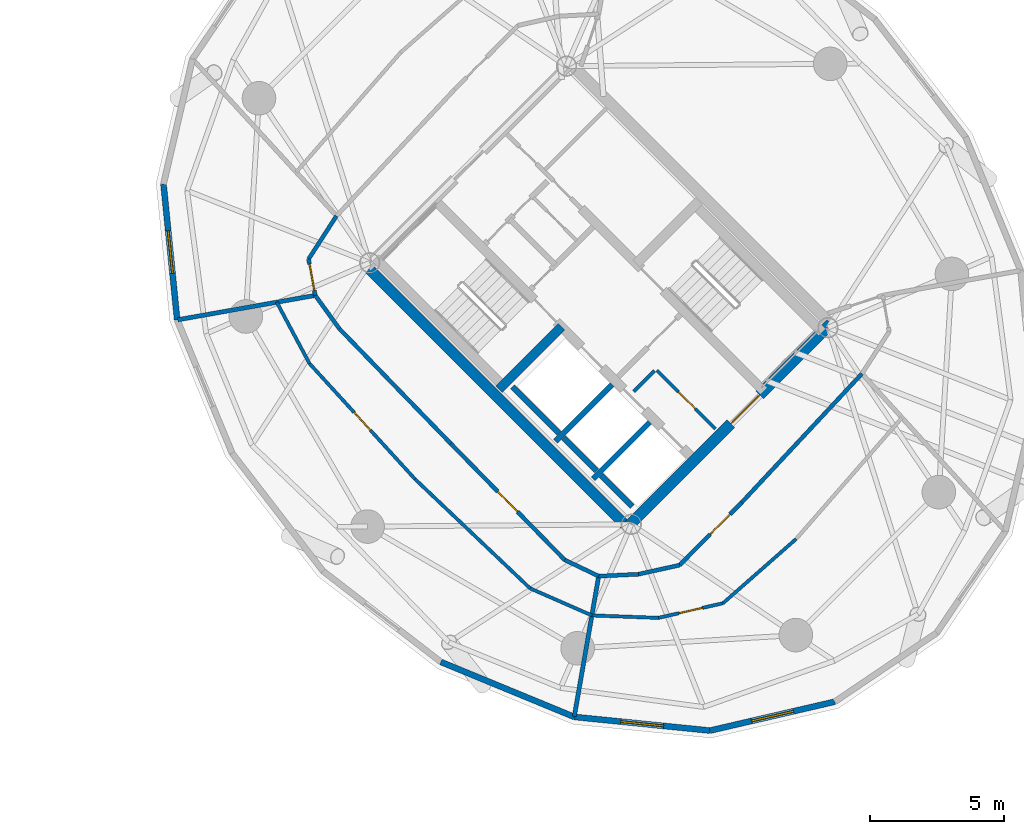
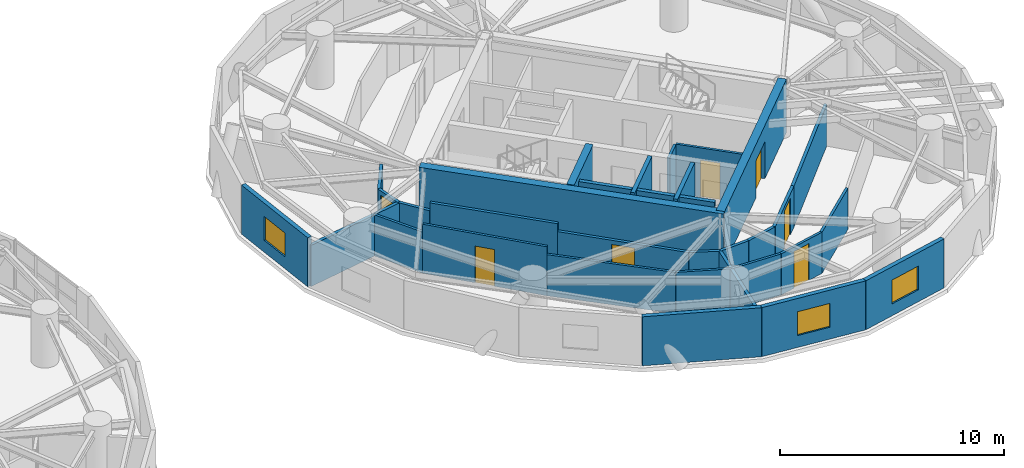
# One storey, part 12 of 17: 33 walls, 7 doors, 3 windows, 10 openings.
"""IFC4 building model written with IfcOpenShell, lengths in metres."""

from ifc_helpers import new_model, si_unit, direction, frame, frame_2d, origin, place, context, subcontext, project, spatial, rectangle, extrude, source, transform, mapped, material, layer, layer_set, type_object, element, fill, save


model = new_model("IFC4")

# Units and contexts
model_context = context("Model", 3, precision=1e-05, world=origin(), true_north=direction((0.0, 1.0)))
body_context = subcontext(model_context, "Body", "Model", "MODEL_VIEW")
ifc_project = project(units=[si_unit("LENGTHUNIT", "METRE"), si_unit("AREAUNIT", "SQUARE_METRE"), si_unit("VOLUMEUNIT", "CUBIC_METRE"), si_unit("PLANEANGLEUNIT", "RADIAN"), si_unit("MASSUNIT", "GRAM", prefix="KILO")], contexts=[model_context])

# Site, building, storey
site_placement = place(None, origin())
site = spatial("IfcSite", under=ifc_project, at=site_placement, CompositionType="ELEMENT")
building_placement = place(site_placement, origin())
building = spatial("IfcBuilding", under=site, at=building_placement, Name="Cununo Teusaquillo Station Towers", CompositionType="ELEMENT")
storey_placement = place(building_placement, frame((0.0, 0.0, 166.14990234375)))
storey = spatial("IfcBuildingStorey", under=building, at=storey_placement, Name="L52", CompositionType="ELEMENT", Elevation=166.14990234375)

# Walls
ifc_material_1 = material(Name="Concrete C50/60", Category="concrete")
ifc_layer_1 = layer(ifc_material_1, 0.199951171875)
ifc_layer_set_1 = layer_set([ifc_layer_1], Name="Concrete C50/60")
wall_type_1 = type_object("IfcWallType", Name="WL-CORE-200", PredefinedType="SHEAR", material=ifc_layer_set_1)
wall_1_placement = place(storey_placement, frame((55.8876953125, 19.0693359375, 0.0), z_axis=(0.0, 0.0, 1.0), x_axis=(0.707106781187, 0.707106781187, 0.0)))
element("IfcWall", 1, at=wall_1_placement, inside=storey, type_object=wall_type_1, Name="L52 Tower B Firefighting Lift Shaft South Shear Wall", PredefinedType="SHEAR", context=body_context, shape_type="SweptSolid", body=[
    extrude(rectangle(XDim=2.969970703125, YDim=0.199951171875, at=frame_2d((1.48486328125, 0.0))), origin(), (0.0, 0.0, 1.0), 2.91015625),
])
wall_2_placement = place(storey_placement, frame((56.01513671875, 19.366455078125, 0.0), z_axis=(0.0, 0.0, 1.0), x_axis=(-0.707106781187, 0.707106781187, 0.0)))
element("IfcWall", 2, at=wall_2_placement, inside=storey, type_object=wall_type_1, Name="L52 Tower B Firefighting Lift Shaft Rear Shear Wall", PredefinedType="SHEAR", context=body_context, shape_type="SweptSolid", body=[
    extrude(rectangle(XDim=2.43994140625, YDim=0.199951171875, at=frame_2d((1.219970703125, 0.0))), origin(), (0.0, 0.0, 1.0), 2.91015625),
])
wall_3_placement = place(storey_placement, frame((57.2841796875, 17.6728515625, 0.0), z_axis=(0.0, 0.0, 1.0), x_axis=(0.707147878904, 0.70706568108, 0.0)))
element("IfcWall", 3, at=wall_3_placement, inside=storey, type_object=wall_type_1, Name="L52 Tower B High-Rise Lift Hoistway Divider Shear Wall", PredefinedType="SHEAR", context=body_context, shape_type="SweptSolid", body=[
    extrude(rectangle(XDim=2.97021484375, YDim=0.199951171875, at=frame_2d((1.485107421875, 0.0))), origin(), (0.0, 0.0, 1.0), 2.91015625),
])
wall_4_placement = place(storey_placement, frame((57.41162109375, 17.969970703125, 0.0), z_axis=(0.0, 0.0, 1.0), x_axis=(-0.707106781187, 0.707106781187, 0.0)))
element("IfcWall", 4, at=wall_4_placement, inside=storey, type_object=wall_type_1, Name="L52 Tower B High-Rise Lift 2 Shaft Rear Shear Wall", PredefinedType="SHEAR", context=body_context, shape_type="SweptSolid", body=[
    extrude(rectangle(XDim=1.73486328125, YDim=0.199951171875, at=frame_2d((0.867431640625, 0.0))), origin(), (0.0, 0.0, 1.0), 2.91015625),
])
wall_5_placement = place(storey_placement, frame((58.7373046875, 16.64404296875, 0.0), z_axis=(0.0, 0.0, 1.0), x_axis=(-0.707032117043, 0.707181437447, 0.0)))
element("IfcWall", 5, at=wall_5_placement, inside=storey, type_object=wall_type_1, Name="L52 Tower B High-Rise Lift 1 Shaft Rear Shear Wall", PredefinedType="SHEAR", context=body_context, shape_type="SweptSolid", body=[
    extrude(rectangle(XDim=1.635009765625, YDim=0.199951171875, at=frame_2d((0.8173828125, 0.0))), origin(), (0.0, 0.0, 1.0), 2.91015625),
])
ifc_material_2 = material(Name="Concrete C50/60", Category="concrete")
ifc_layer_2 = layer(ifc_material_2, 0.35009765625)
ifc_layer_set_2 = layer_set([ifc_layer_2], Name="Concrete C50/60")
wall_type_2 = type_object("IfcWallType", Name="WL-CORE-350", PredefinedType="SHEAR", material=ifc_layer_set_2)
wall_6_placement = place(storey_placement, frame((53.7841796875, 21.00341796875, 0.0), z_axis=(0.0, 0.0, 1.0), x_axis=(0.707106781187, 0.707106781187, 0.0)))
element("IfcWall", 6, at=wall_6_placement, inside=storey, type_object=wall_type_2, Name="L52 Tower B Core Shear Wall ST1S", PredefinedType="SHEAR", context=body_context, shape_type="SweptSolid", body=[
    extrude(rectangle(XDim=3.284912109375, YDim=0.35009765625, at=frame_2d((1.642578125, 0.0))), origin(), (0.0, 0.0, 1.0), 2.91015625),
])
ifc_material_3 = material(Name="Concrete C50/60", Category="concrete")
ifc_layer_3 = layer(ifc_material_3, 0.39990234375)
ifc_layer_set_3 = layer_set([ifc_layer_3], Name="Concrete C50/60")
wall_type_3 = type_object("IfcWallType", Name="WL-CORE-400", PredefinedType="SHEAR", material=ifc_layer_set_3)
wall_7_placement = place(storey_placement, frame((58.7021484375, 15.73193359375, 0.0), z_axis=(0.0, 0.0, 1.0), x_axis=(-0.707106781187, 0.707106781187, 0.0)))
element("IfcWall", 7, at=wall_7_placement, inside=storey, type_object=wall_type_3, Name="L52 Tower B Core Shear Wall W", PredefinedType="SHEAR", context=body_context, shape_type="SweptSolid", body=[
    extrude(rectangle(XDim=14.10009765625, YDim=0.39990234375, at=frame_2d((7.050048828125, 0.0))), origin(), (0.0, 0.0, 1.0), 2.91015625),
])

# Wall, opening, door
wall_8_placement = place(storey_placement, frame((58.560791015625, 15.873291015625, 0.0), z_axis=(0.0, 0.0, 1.0), x_axis=(0.707106781187, 0.707106781187, 0.0)))
wall_8 = element("IfcWall", 8, at=wall_8_placement, inside=storey, type_object=wall_type_3, Name="L52 Tower B Core Shear Wall S", PredefinedType="SHEAR", context=body_context, shape_type="SweptSolid", body=[
    extrude(rectangle(XDim=10.69970703125, YDim=0.39990234375, at=frame_2d((5.349853515625, 0.0))), origin(), (0.0, 0.0, 1.0), 2.91015625),
])
shared_shape_1 = source(origin(), body_context, "Body", "SweptSolid", [
    extrude(rectangle(XDim=1.5, YDim=2.02001953125, at=frame_2d((0.75, 1.010009765625))), frame((0.0, 0.2099609375, 0.0), z_axis=(0.0, -1.0, 0.0), x_axis=(1.0, 0.0, 0.0)), (0.0, 0.0, 1.0), 0.419921875),
])
opening_1_placement = place(wall_8_placement, frame((5.449951171875, 0.0, 0.0)))
opening_1 = element("IfcOpeningElement", 9, at=opening_1_placement, cuts=wall_8, Name="Opening D-LB1", PredefinedType="OPENING", context=body_context, shape_type="MappedRepresentation", body=[
    mapped(shared_shape_1, transform((0.0, 0.0, 0.0), x_axis=(1.0, 0.0, 0.0), y_axis=(0.0, 1.0, 0.0), z_axis=(0.0, 0.0, 1.0), scale=1.0)),
])
ifc_material_4 = material(Name="Galvanised fire-rated hollow steel door assembly", Category="steel")
door_type_1 = type_object("IfcDoorType", Name="DR-LOBBY-1500", OperationType="DOUBLE_DOOR_SINGLE_SWING", PredefinedType="DOOR", material=ifc_material_4)
shared_shape_2 = source(origin(), body_context, "Body", "SweptSolid", [
    extrude(rectangle(XDim=1.5, YDim=2.02001953125, at=frame_2d((0.75, 1.010009765625))), frame((0.0, 0.02490234375, 0.0), z_axis=(0.0, -1.0, 0.0), x_axis=(1.0, 0.0, 0.0)), (0.0, 0.0, 1.0), 0.050048828125),
])
door_1_placement = place(opening_1_placement, origin())
door_1 = element("IfcDoor", 10, at=door_1_placement, inside=storey, type_object=door_type_1, Name="L52 Tower B South Core Lift Lobby Door", OperationType="DOUBLE_DOOR_SINGLE_SWING", OverallHeight=2.02001953125, OverallWidth=1.5, PredefinedType="DOOR", context=body_context, shape_type="MappedRepresentation", body=[
    mapped(shared_shape_2, transform((0.0, 0.0, 0.0), x_axis=(1.0, 0.0, 0.0), y_axis=(0.0, 1.0, 0.0), z_axis=(0.0, 0.0, 1.0), scale=1.0)),
])
fill(opening_1, door_1)

# Wall, opening, window
ifc_material_5 = material(Name="Precast concrete C40/50", Category="concrete")
ifc_layer_4 = layer(ifc_material_5, 0.219970703125)
ifc_layer_set_4 = layer_set([ifc_layer_4], Name="Precast concrete C40/50")
wall_type_4 = type_object("IfcWallType", Name="WL-EXT-220", PredefinedType="SOLIDWALL", material=ifc_layer_set_4)
wall_9_placement = place(storey_placement, frame((41.810791015625, 23.582275390625, 0.0), z_axis=(0.0, 0.0, 1.0), x_axis=(-0.100279889424, 0.994959267396, 0.0)))
wall_9 = element("IfcWall", 11, at=wall_9_placement, inside=storey, type_object=wall_type_4, Name="L52 Tower B Exterior Facade Wall C07", PredefinedType="SOLIDWALL", context=body_context, shape_type="SweptSolid", body=[
    extrude(rectangle(XDim=5.076171875, YDim=0.219970703125, at=frame_2d((2.5380859375, 0.0))), origin(), (0.0, 0.0, 1.0), 2.675048828125),
])
shared_shape_3 = source(origin(), body_context, "Body", "SweptSolid", [
    extrude(rectangle(XDim=1.60009765625, YDim=1.300048828125, at=frame_2d((0.800048828125, 0.64990234375))), frame((0.0, 0.119873046875, 0.0), z_axis=(0.0, -1.0, 0.0), x_axis=(1.0, 0.0, 0.0)), (0.0, 0.0, 1.0), 0.239990234375),
])
opening_2_placement = place(wall_9_placement, frame((1.738037109375, 0.0, 0.64990234375)))
opening_2 = element("IfcOpeningElement", 12, at=opening_2_placement, cuts=wall_9, Name="Opening WN-03", PredefinedType="OPENING", context=body_context, shape_type="MappedRepresentation", body=[
    mapped(shared_shape_3, transform((0.0, 0.0, 0.0), x_axis=(1.0, 0.0, 0.0), y_axis=(0.0, 1.0, 0.0), z_axis=(0.0, 0.0, 1.0), scale=1.0)),
])
ifc_material_6 = material(Name="Ceramic-fritted dark low-E double glazing", Category="glass")
window_type = type_object("IfcWindowType", Name="WIN-CORN-1600", PartitioningType="SINGLE_PANEL", PredefinedType="WINDOW", material=ifc_material_6)
shared_shape_4 = source(origin(), body_context, "Body", "SweptSolid", [
    extrude(rectangle(XDim=1.60009765625, YDim=1.300048828125, at=frame_2d((0.800048828125, 0.64990234375))), frame((0.0, 0.030029296875, 0.0), z_axis=(0.0, -1.0, 0.0), x_axis=(1.0, 0.0, 0.0)), (0.0, 0.0, 1.0), 0.06005859375),
])
window_1_placement = place(opening_2_placement, origin())
window_1 = element("IfcWindow", 13, at=window_1_placement, inside=storey, type_object=window_type, Name="L52 Tower B Facade Window C07", OverallHeight=1.300048828125, OverallWidth=1.60009765625, PartitioningType="SINGLE_PANEL", PredefinedType="WINDOW", context=body_context, shape_type="MappedRepresentation", body=[
    mapped(shared_shape_4, transform((0.0, 0.0, 0.0), x_axis=(1.0, 0.0, 0.0), y_axis=(0.0, 1.0, 0.0), z_axis=(0.0, 0.0, 1.0), scale=1.0)),
])
fill(opening_2, window_1)

# Wall
wall_10_placement = place(storey_placement, frame((56.582275390625, 8.810791015625, 0.0), z_axis=(0.0, 0.0, 1.0), x_axis=(-0.924528197738, 0.38111364655, 0.0)))
element("IfcWall", 14, at=wall_10_placement, inside=storey, type_object=wall_type_4, Name="L52 Tower B Exterior Facade Wall C11", PredefinedType="SOLIDWALL", context=body_context, shape_type="SweptSolid", body=[
    extrude(rectangle(XDim=5.36572265625, YDim=0.219970703125, at=frame_2d((2.682861328125, 0.0))), origin(), (0.0, 0.0, 1.0), 2.675048828125),
])

# Wall, opening, window
wall_11_placement = place(storey_placement, frame((61.6328125, 8.3017578125, 0.0), z_axis=(0.0, 0.0, 1.0), x_axis=(-0.994959267396, 0.100279889424, 0.0)))
wall_11 = element("IfcWall", 15, at=wall_11_placement, inside=storey, type_object=wall_type_4, Name="L52 Tower B Exterior Facade Wall C12", PredefinedType="SOLIDWALL", context=body_context, shape_type="SweptSolid", body=[
    extrude(rectangle(XDim=5.076171875, YDim=0.219970703125, at=frame_2d((2.5380859375, 0.0))), origin(), (0.0, 0.0, 1.0), 2.675048828125),
])
opening_3_placement = place(wall_11_placement, frame((1.738037109375, 0.0, 0.64990234375)))
opening_3 = element("IfcOpeningElement", 16, at=opening_3_placement, cuts=wall_11, Name="Opening WN-03", PredefinedType="OPENING", context=body_context, shape_type="MappedRepresentation", body=[
    mapped(shared_shape_3, transform((0.0, 0.0, 0.0), x_axis=(1.0, 0.0, 0.0), y_axis=(0.0, 1.0, 0.0), z_axis=(0.0, 0.0, 1.0), scale=1.0)),
])
window_2_placement = place(opening_3_placement, origin())
window_2 = element("IfcWindow", 17, at=window_2_placement, inside=storey, type_object=window_type, Name="L52 Tower B Facade Window C12", OverallHeight=1.300048828125, OverallWidth=1.60009765625, PartitioningType="SINGLE_PANEL", PredefinedType="WINDOW", context=body_context, shape_type="MappedRepresentation", body=[
    mapped(shared_shape_4, transform((0.0, 0.0, 0.0), x_axis=(1.0, 0.0, 0.0), y_axis=(0.0, 1.0, 0.0), z_axis=(0.0, 0.0, 1.0), scale=1.0)),
])
fill(opening_3, window_2)

wall_12_placement = place(storey_placement, frame((66.27880859375, 9.3779296875, 0.0), z_axis=(0.0, 0.0, 1.0), x_axis=(-0.974206226622, -0.225659540039, 0.0)))
wall_12 = element("IfcWall", 18, at=wall_12_placement, inside=storey, type_object=wall_type_4, Name="L52 Tower B Exterior Facade Wall C13", PredefinedType="SOLIDWALL", context=body_context, shape_type="SweptSolid", body=[
    extrude(rectangle(XDim=4.76904296875, YDim=0.219970703125, at=frame_2d((2.384521484375, 0.0))), origin(), (0.0, 0.0, 1.0), 2.675048828125),
])
opening_4_placement = place(wall_12_placement, frame((1.5849609375, 0.0, 0.64990234375)))
opening_4 = element("IfcOpeningElement", 19, at=opening_4_placement, cuts=wall_12, Name="Opening WN-03", PredefinedType="OPENING", context=body_context, shape_type="MappedRepresentation", body=[
    mapped(shared_shape_3, transform((0.0, 0.0, 0.0), x_axis=(1.0, 0.0, 0.0), y_axis=(0.0, 1.0, 0.0), z_axis=(0.0, 0.0, 1.0), scale=1.0)),
])
window_3_placement = place(opening_4_placement, origin())
window_3 = element("IfcWindow", 20, at=window_3_placement, inside=storey, type_object=window_type, Name="L52 Tower B Facade Window C13", OverallHeight=1.300048828125, OverallWidth=1.60009765625, PartitioningType="SINGLE_PANEL", PredefinedType="WINDOW", context=body_context, shape_type="MappedRepresentation", body=[
    mapped(shared_shape_4, transform((0.0, 0.0, 0.0), x_axis=(1.0, 0.0, 0.0), y_axis=(0.0, 1.0, 0.0), z_axis=(0.0, 0.0, 1.0), scale=1.0)),
])
fill(opening_4, window_3)

# Wall, opening, door
ifc_material_7 = material(Name="Fire-rated gypsum plasterboard partition assembly", Category="gypsum")
ifc_layer_5 = layer(ifc_material_7, 0.125)
ifc_layer_set_5 = layer_set([ifc_layer_5], Name="Fire-rated gypsum plasterboard partition assembly")
wall_type_5 = type_object("IfcWallType", Name="WL-PART-125", PredefinedType="PARTITIONING", material=ifc_layer_set_5)
wall_13_placement = place(storey_placement, frame((61.834716796875, 19.529052734375, 0.0), z_axis=(0.0, 0.0, 1.0), x_axis=(-0.707146413884, 0.707067146267, 0.0)))
wall_13 = element("IfcWall", 21, at=wall_13_placement, inside=storey, type_object=wall_type_5, Name="L52 Tower B South-West Tall Store East Wall", PredefinedType="PARTITIONING", context=body_context, shape_type="SweptSolid", body=[
    extrude(rectangle(XDim=3.079833984375, YDim=0.125, at=frame_2d((1.5400390625, 0.0))), origin(), (0.0, 0.0, 1.0), 2.675048828125),
])
shared_shape_5 = source(origin(), body_context, "Body", "SweptSolid", [
    extrude(rectangle(XDim=0.89990234375, YDim=2.0048828125, at=frame_2d((0.449951171875, 1.00244140625))), frame((0.0, 0.072509765625, 0.0), z_axis=(0.0, -1.0, 0.0), x_axis=(1.0, 0.0, 0.0)), (0.0, 0.0, 1.0), 0.14501953125),
])
opening_5_placement = place(wall_13_placement, frame((1.050048828125, 0.0, 0.0)))
opening_5 = element("IfcOpeningElement", 22, at=opening_5_placement, cuts=wall_13, Name="Opening D-SR1", PredefinedType="OPENING", context=body_context, shape_type="MappedRepresentation", body=[
    mapped(shared_shape_5, transform((0.0, 0.0, 0.0), x_axis=(1.0, 0.0, 0.0), y_axis=(0.0, 1.0, 0.0), z_axis=(0.0, 0.0, 1.0), scale=1.0)),
])
ifc_material_8 = material(Name="Galvanised fire-rated hollow steel door assembly", Category="steel")
door_type_2 = type_object("IfcDoorType", Name="DR-STORE-900", OperationType="NOTDEFINED", PredefinedType="DOOR", material=ifc_material_8)
shared_shape_6 = source(origin(), body_context, "Body", "SweptSolid", [
    extrude(rectangle(XDim=0.89990234375, YDim=2.0048828125, at=frame_2d((0.449951171875, 1.00244140625))), frame((0.0, 0.02490234375, 0.0), z_axis=(0.0, -1.0, 0.0), x_axis=(1.0, 0.0, 0.0)), (0.0, 0.0, 1.0), 0.050048828125),
])
door_2_placement = place(opening_5_placement, origin())
door_2 = element("IfcDoor", 23, at=door_2_placement, inside=storey, type_object=door_type_2, Name="L52 Tower B South Cleaners Store Door", OperationType="SINGLE_SWING_LEFT", OverallHeight=2.0048828125, OverallWidth=0.89990234375, PredefinedType="DOOR", context=body_context, shape_type="MappedRepresentation", body=[
    mapped(shared_shape_6, transform((0.0, 0.0, 0.0), x_axis=(1.0, 0.0, 0.0), y_axis=(0.0, 1.0, 0.0), z_axis=(0.0, 0.0, 1.0), scale=1.0)),
])
fill(opening_5, door_2)

# Walls
wall_14_placement = place(storey_placement, frame((58.7939453125, 20.9150390625, 0.0), z_axis=(0.0, 0.0, 1.0), x_axis=(0.707106781187, 0.707106781187, 0.0)))
element("IfcWall", 24, at=wall_14_placement, inside=storey, type_object=wall_type_5, Name="L52 Tower B South-West Tall Store North Wall", PredefinedType="PARTITIONING", context=body_context, shape_type="SweptSolid", body=[
    extrude(rectangle(XDim=1.10009765625, YDim=0.125, at=frame_2d((0.550048828125, 0.0))), origin(), (0.0, 0.0, 1.0), 2.675048828125),
])
wall_15_placement = place(storey_placement, frame((45.513916015625, 24.2392578125, 0.0), z_axis=(0.0, 0.0, 1.0), x_axis=(0.471225296528, -0.882012879674, 0.0)))
element("IfcWall", 25, at=wall_15_placement, inside=storey, type_object=wall_type_5, Name="L52 Tower B Sabana Wellness & Spa Lounge Concentric Partition Wall C08", PredefinedType="PARTITIONING", context=body_context, shape_type="SweptSolid", body=[
    extrude(rectangle(XDim=2.585205078125, YDim=0.125, at=frame_2d((1.29248046875, 0.0))), origin(), (0.0, 0.0, 1.0), 2.2451171875),
])

# Wall, opening, door
wall_16_placement = place(storey_placement, frame((46.732177734375, 21.958984375, 0.0), z_axis=(0.0, 0.0, 1.0), x_axis=(0.674328014222, -0.738431939474, 0.0)))
wall_16 = element("IfcWall", 26, at=wall_16_placement, inside=storey, type_object=wall_type_5, Name="L52 Tower B Sabana Wellness & Spa Lounge Concentric Partition Wall C09", PredefinedType="PARTITIONING", context=body_context, shape_type="SweptSolid", body=[
    extrude(rectangle(XDim=5.8232421875, YDim=0.125, at=frame_2d((2.91162109375, 0.0))), origin(), (0.0, 0.0, 1.0), 2.675048828125),
])
opening_6_placement = place(wall_16_placement, frame((2.461669921875, 0.0, 0.0)))
opening_6 = element("IfcOpeningElement", 27, at=opening_6_placement, cuts=wall_16, Name="Opening D-IN1", PredefinedType="OPENING", context=body_context, shape_type="MappedRepresentation", body=[
    mapped(shared_shape_5, transform((0.0, 0.0, 0.0), x_axis=(1.0, 0.0, 0.0), y_axis=(0.0, 1.0, 0.0), z_axis=(0.0, 0.0, 1.0), scale=1.0)),
])
ifc_material_9 = material(Name="Acoustic solid-core hardwood leaf assembly", Category="wood")
door_type_3 = type_object("IfcDoorType", Name="DR-INT-900", OperationType="NOTDEFINED", PredefinedType="DOOR", material=ifc_material_9)
door_3_placement = place(opening_6_placement, origin())
door_3 = element("IfcDoor", 28, at=door_3_placement, inside=storey, type_object=door_type_3, Name="L52 Tower B Sabana Wellness & Spa Lounge Connecting Door", OperationType="SINGLE_SWING_RIGHT", OverallHeight=2.0048828125, OverallWidth=0.89990234375, PredefinedType="DOOR", context=body_context, shape_type="MappedRepresentation", body=[
    mapped(shared_shape_6, transform((0.0, 0.0, 0.0), x_axis=(1.0, 0.0, 0.0), y_axis=(0.0, 1.0, 0.0), z_axis=(0.0, 0.0, 1.0), scale=1.0)),
])
fill(opening_6, door_3)

# Walls
wall_17_placement = place(storey_placement, frame((50.658935546875, 17.658935546875, 0.0), z_axis=(0.0, 0.0, 1.0), x_axis=(0.72516873678, -0.688571204159, 0.0)))
element("IfcWall", 29, at=wall_17_placement, inside=storey, type_object=wall_type_5, Name="L52 Tower B Sabana Wellness & Spa Lounge Concentric Partition Wall C10", PredefinedType="PARTITIONING", context=body_context, shape_type="SweptSolid", body=[
    extrude(rectangle(XDim=5.90380859375, YDim=0.125, at=frame_2d((2.951904296875, 0.0))), origin(), (0.0, 0.0, 1.0), 2.2451171875),
])
wall_18_placement = place(storey_placement, frame((54.940185546875, 13.59375, 0.0), z_axis=(0.0, 0.0, 1.0), x_axis=(0.915898070967, -0.401410916143, 0.0)))
element("IfcWall", 30, at=wall_18_placement, inside=storey, type_object=wall_type_5, Name="L52 Tower B Sabana Wellness & Spa Lounge Concentric Partition Wall C11", PredefinedType="PARTITIONING", context=body_context, shape_type="SweptSolid", body=[
    extrude(rectangle(XDim=2.5087890625, YDim=0.125, at=frame_2d((1.25439453125, 0.0))), origin(), (0.0, 0.0, 1.0), 2.2451171875),
])
wall_19_placement = place(storey_placement, frame((57.238037109375, 12.586669921875, 0.0), z_axis=(0.0, 0.0, 1.0), x_axis=(0.999316318576, -0.036971548882, 0.0)))
element("IfcWall", 31, at=wall_19_placement, inside=storey, type_object=wall_type_5, Name="L52 Tower B Cordillera Executive Conference Salon Concentric Partition Wall C12", PredefinedType="PARTITIONING", context=body_context, shape_type="SweptSolid", body=[
    extrude(rectangle(XDim=2.476318359375, YDim=0.125, at=frame_2d((1.23828125, 0.0))), origin(), (0.0, 0.0, 1.0), 2.2451171875),
])

# Wall, opening, door
wall_20_placement = place(storey_placement, frame((59.712646484375, 12.4951171875, 0.0), z_axis=(0.0, 0.0, 1.0), x_axis=(0.975260144608, 0.221060286662, 0.0)))
wall_20 = element("IfcWall", 32, at=wall_20_placement, inside=storey, type_object=wall_type_5, Name="L52 Tower B Cordillera Executive Conference Salon Concentric Partition Wall C13", PredefinedType="PARTITIONING", context=body_context, shape_type="SweptSolid", body=[
    extrude(rectangle(XDim=2.465087890625, YDim=0.125, at=frame_2d((1.232421875, 0.0))), origin(), (0.0, 0.0, 1.0), 2.2451171875),
])
opening_7_placement = place(wall_20_placement, frame((0.782470703125, 0.0, 0.0)))
opening_7 = element("IfcOpeningElement", 33, at=opening_7_placement, cuts=wall_20, Name="Opening D-IN1", PredefinedType="OPENING", context=body_context, shape_type="MappedRepresentation", body=[
    mapped(shared_shape_5, transform((0.0, 0.0, 0.0), x_axis=(1.0, 0.0, 0.0), y_axis=(0.0, 1.0, 0.0), z_axis=(0.0, 0.0, 1.0), scale=1.0)),
])
door_4_placement = place(opening_7_placement, origin())
door_4 = element("IfcDoor", 34, at=door_4_placement, inside=storey, type_object=door_type_3, Name="L52 Tower B Cordillera Executive Conference Salon Connecting Door", OperationType="SINGLE_SWING_RIGHT", OverallHeight=2.0048828125, OverallWidth=0.89990234375, PredefinedType="DOOR", context=body_context, shape_type="MappedRepresentation", body=[
    mapped(shared_shape_6, transform((0.0, 0.0, 0.0), x_axis=(1.0, 0.0, 0.0), y_axis=(0.0, 1.0, 0.0), z_axis=(0.0, 0.0, 1.0), scale=1.0)),
])
fill(opening_7, door_4)

# Walls
wall_21_placement = place(storey_placement, frame((62.11669921875, 13.0400390625, 0.0), z_axis=(0.0, 0.0, 1.0), x_axis=(0.751084924077, 0.660205601933, 0.0)))
element("IfcWall", 35, at=wall_21_placement, inside=storey, type_object=wall_type_5, Name="L52 Tower B Cordillera Executive Conference Salon Concentric Partition Wall C14", PredefinedType="PARTITIONING", context=body_context, shape_type="SweptSolid", body=[
    extrude(rectangle(XDim=3.6240234375, YDim=0.125, at=frame_2d((1.81201171875, 0.0))), origin(), (0.0, 0.0, 1.0), 2.2451171875),
])
ifc_material_10 = material(Name="Fire-rated gypsum plasterboard partition assembly", Category="gypsum")
ifc_layer_6 = layer(ifc_material_10, 0.14990234375)
ifc_layer_set_6 = layer_set([ifc_layer_6], Name="Fire-rated gypsum plasterboard partition assembly")
wall_type_6 = type_object("IfcWallType", Name="WL-PART-150", PredefinedType="PARTITIONING", material=ifc_layer_set_6)
wall_22_placement = place(storey_placement, frame((47.736083984375, 27.448974609375, 0.0), z_axis=(0.0, 0.0, 1.0), x_axis=(-0.542589259408, -0.839998152126, 0.0)))
element("IfcWall", 36, at=wall_22_placement, inside=storey, type_object=wall_type_6, Name="L52 Tower B Corridor Ring Wall C06", PredefinedType="PARTITIONING", context=body_context, shape_type="SweptSolid", body=[
    extrude(rectangle(XDim=1.911865234375, YDim=0.14990234375, at=frame_2d((0.9560546875, 0.0))), origin(), (0.0, 0.0, 1.0), 2.2451171875),
])

# Wall, opening, door
wall_23_placement = place(storey_placement, frame((46.69873046875, 25.843017578125, 0.0), z_axis=(0.0, 0.0, 1.0), x_axis=(0.180451258011, -0.983583928032, 0.0)))
wall_23 = element("IfcWall", 37, at=wall_23_placement, inside=storey, type_object=wall_type_6, Name="L52 Tower B Corridor Ring Wall C07", PredefinedType="PARTITIONING", context=body_context, shape_type="SweptSolid", body=[
    extrude(rectangle(XDim=1.371826171875, YDim=0.14990234375, at=frame_2d((0.68603515625, 0.0))), origin(), (0.0, 0.0, 1.0), 2.2451171875),
])
shared_shape_7 = source(origin(), body_context, "Body", "SweptSolid", [
    extrude(rectangle(XDim=1.0, YDim=2.014892578125, at=frame_2d((0.5, 1.00732421875))), frame((0.0, 0.0849609375, 0.0), z_axis=(0.0, -1.0, 0.0), x_axis=(1.0, 0.0, 0.0)), (0.0, 0.0, 1.0), 0.169921875),
])
opening_8_placement = place(wall_23_placement, frame((0.18603515625, 0.0, 0.0)))
opening_8 = element("IfcOpeningElement", 38, at=opening_8_placement, cuts=wall_23, Name="Opening D-AC1", PredefinedType="OPENING", context=body_context, shape_type="MappedRepresentation", body=[
    mapped(shared_shape_7, transform((0.0, 0.0, 0.0), x_axis=(1.0, 0.0, 0.0), y_axis=(0.0, 1.0, 0.0), z_axis=(0.0, 0.0, 1.0), scale=1.0)),
])
ifc_material_11 = material(Name="Acoustic solid-core hardwood leaf assembly", Category="wood")
door_type_4 = type_object("IfcDoorType", Name="DR-ACC-1000", OperationType="NOTDEFINED", PredefinedType="DOOR", material=ifc_material_11)
shared_shape_8 = source(origin(), body_context, "Body", "SweptSolid", [
    extrude(rectangle(XDim=1.0, YDim=2.014892578125, at=frame_2d((0.5, 1.00732421875))), frame((0.0, 0.02490234375, 0.0), z_axis=(0.0, -1.0, 0.0), x_axis=(1.0, 0.0, 0.0)), (0.0, 0.0, 1.0), 0.050048828125),
])
door_5_placement = place(opening_8_placement, origin())
door_5 = element("IfcDoor", 39, at=door_5_placement, inside=storey, type_object=door_type_4, Name="L52 Tower B Public Accessible Restroom WC Entrance Door", OperationType="SINGLE_SWING_RIGHT", OverallHeight=2.014892578125, OverallWidth=1.0, PredefinedType="DOOR", context=body_context, shape_type="MappedRepresentation", body=[
    mapped(shared_shape_8, transform((0.0, 0.0, 0.0), x_axis=(1.0, 0.0, 0.0), y_axis=(0.0, 1.0, 0.0), z_axis=(0.0, 0.0, 1.0), scale=1.0)),
])
fill(opening_8, door_5)

# Walls
wall_24_placement = place(storey_placement, frame((46.9462890625, 24.49365234375, 0.0), z_axis=(0.0, 0.0, 1.0), x_axis=(0.586340262528, -0.810064871809, 0.0)))
element("IfcWall", 40, at=wall_24_placement, inside=storey, type_object=wall_type_6, Name="L52 Tower B Corridor Ring Wall C08", PredefinedType="PARTITIONING", context=body_context, shape_type="SweptSolid", body=[
    extrude(rectangle(XDim=1.531005859375, YDim=0.14990234375, at=frame_2d((0.765625, 0.0))), origin(), (0.0, 0.0, 1.0), 2.2451171875),
])
wall_25_placement = place(storey_placement, frame((47.843994140625, 23.25341796875, 0.0), z_axis=(0.0, 0.0, 1.0), x_axis=(0.696248411352, -0.717800912293, 0.0)))
element("IfcWall", 41, at=wall_25_placement, inside=storey, type_object=wall_type_6, Name="L52 Tower B Corridor Ring Wall C09", PredefinedType="PARTITIONING", context=body_context, shape_type="SweptSolid", body=[
    extrude(rectangle(XDim=5.947021484375, YDim=0.14990234375, at=frame_2d((2.9736328125, 0.0))), origin(), (0.0, 0.0, 1.0), 2.675048828125),
])

# Wall, opening, door
wall_26_placement = place(storey_placement, frame((51.984619140625, 18.984619140625, 0.0), z_axis=(0.0, 0.0, 1.0), x_axis=(0.699619654291, -0.714515457726, 0.0)))
wall_26 = element("IfcWall", 42, at=wall_26_placement, inside=storey, type_object=wall_type_6, Name="L52 Tower B Corridor Ring Wall C10", PredefinedType="PARTITIONING", context=body_context, shape_type="SweptSolid", body=[
    extrude(rectangle(XDim=6.064208984375, YDim=0.14990234375, at=frame_2d((3.0322265625, 0.0))), origin(), (0.0, 0.0, 1.0), 2.2451171875),
])
shared_shape_9 = source(origin(), body_context, "Body", "SweptSolid", [
    extrude(rectangle(XDim=1.050048828125, YDim=2.014892578125, at=frame_2d((0.52490234375, 1.00732421875))), frame((0.0, 0.0849609375, 0.0), z_axis=(0.0, -1.0, 0.0), x_axis=(1.0, 0.0, 0.0)), (0.0, 0.0, 1.0), 0.169921875),
])
opening_9_placement = place(wall_26_placement, frame((2.507080078125, 0.0, 0.0)))
opening_9 = element("IfcOpeningElement", 43, at=opening_9_placement, cuts=wall_26, Name="Opening D-SU1", PredefinedType="OPENING", context=body_context, shape_type="MappedRepresentation", body=[
    mapped(shared_shape_9, transform((0.0, 0.0, 0.0), x_axis=(1.0, 0.0, 0.0), y_axis=(0.0, 1.0, 0.0), z_axis=(0.0, 0.0, 1.0), scale=1.0)),
])
ifc_material_12 = material(Name="Acoustic solid-core hardwood leaf assembly", Category="wood")
door_type_5 = type_object("IfcDoorType", Name="DR-SUITE-1050", OperationType="NOTDEFINED", PredefinedType="DOOR", material=ifc_material_12)
shared_shape_10 = source(origin(), body_context, "Body", "SweptSolid", [
    extrude(rectangle(XDim=1.050048828125, YDim=2.014892578125, at=frame_2d((0.52490234375, 1.00732421875))), frame((0.0, 0.02490234375, 0.0), z_axis=(0.0, -1.0, 0.0), x_axis=(1.0, 0.0, 0.0)), (0.0, 0.0, 1.0), 0.050048828125),
])
door_6_placement = place(opening_9_placement, origin())
door_6 = element("IfcDoor", 44, at=door_6_placement, inside=storey, type_object=door_type_5, Name="L52 Tower B Sabana Wellness & Spa Lounge Entrance Door", OperationType="SINGLE_SWING_LEFT", OverallHeight=2.014892578125, OverallWidth=1.050048828125, PredefinedType="DOOR", context=body_context, shape_type="MappedRepresentation", body=[
    mapped(shared_shape_10, transform((0.0, 0.0, 0.0), x_axis=(1.0, 0.0, 0.0), y_axis=(0.0, 1.0, 0.0), z_axis=(0.0, 0.0, 1.0), scale=1.0)),
])
fill(opening_9, door_6)

# Walls
wall_27_placement = place(storey_placement, frame((56.227294921875, 14.651611328125, 0.0), z_axis=(0.0, 0.0, 1.0), x_axis=(0.902364039563, -0.430974639745, 0.0)))
element("IfcWall", 45, at=wall_27_placement, inside=storey, type_object=wall_type_6, Name="L52 Tower B Corridor Ring Wall C11", PredefinedType="PARTITIONING", context=body_context, shape_type="SweptSolid", body=[
    extrude(rectangle(XDim=1.4013671875, YDim=0.14990234375, at=frame_2d((0.70068359375, 0.0))), origin(), (0.0, 0.0, 1.0), 2.2451171875),
])
wall_28_placement = place(storey_placement, frame((57.491943359375, 14.047607421875, 0.0), z_axis=(0.0, 0.0, 1.0), x_axis=(0.99885011351, 0.047942160364, 0.0)))
element("IfcWall", 46, at=wall_28_placement, inside=storey, type_object=wall_type_6, Name="L52 Tower B Corridor Ring Wall C12", PredefinedType="PARTITIONING", context=body_context, shape_type="SweptSolid", body=[
    extrude(rectangle(XDim=1.476806640625, YDim=0.14990234375, at=frame_2d((0.73828125, 0.0))), origin(), (0.0, 0.0, 1.0), 2.2451171875),
])
wall_29_placement = place(storey_placement, frame((58.967041015625, 14.118408203125, 0.0), z_axis=(0.0, 0.0, 1.0), x_axis=(0.976471358036, 0.215647135235, 0.0)))
element("IfcWall", 47, at=wall_29_placement, inside=storey, type_object=wall_type_6, Name="L52 Tower B Corridor Ring Wall C13", PredefinedType="PARTITIONING", context=body_context, shape_type="SweptSolid", body=[
    extrude(rectangle(XDim=1.5712890625, YDim=0.14990234375, at=frame_2d((0.78564453125, 0.0))), origin(), (0.0, 0.0, 1.0), 2.2451171875),
])

# Wall, opening, door
wall_30_placement = place(storey_placement, frame((60.50146484375, 14.457275390625, 0.0), z_axis=(0.0, 0.0, 1.0), x_axis=(0.704012266258, 0.710187812454, 0.0)))
wall_30 = element("IfcWall", 48, at=wall_30_placement, inside=storey, type_object=wall_type_6, Name="L52 Tower B Corridor Ring Wall C14", PredefinedType="PARTITIONING", context=body_context, shape_type="SweptSolid", body=[
    extrude(rectangle(XDim=3.28125, YDim=0.14990234375, at=frame_2d((1.640625, 0.0))), origin(), (0.0, 0.0, 1.0), 2.2451171875),
])
opening_10_placement = place(wall_30_placement, frame((1.613525390625, 0.0, 0.0)))
opening_10 = element("IfcOpeningElement", 49, at=opening_10_placement, cuts=wall_30, Name="Opening D-SU1", PredefinedType="OPENING", context=body_context, shape_type="MappedRepresentation", body=[
    mapped(shared_shape_9, transform((0.0, 0.0, 0.0), x_axis=(1.0, 0.0, 0.0), y_axis=(0.0, 1.0, 0.0), z_axis=(0.0, 0.0, 1.0), scale=1.0)),
])
door_7_placement = place(opening_10_placement, origin())
door_7 = element("IfcDoor", 50, at=door_7_placement, inside=storey, type_object=door_type_5, Name="L52 Tower B Cordillera Executive Conference Salon Entrance Door", OperationType="SINGLE_SWING_LEFT", OverallHeight=2.014892578125, OverallWidth=1.050048828125, PredefinedType="DOOR", context=body_context, shape_type="MappedRepresentation", body=[
    mapped(shared_shape_10, transform((0.0, 0.0, 0.0), x_axis=(1.0, 0.0, 0.0), y_axis=(0.0, 1.0, 0.0), z_axis=(0.0, 0.0, 1.0), scale=1.0)),
])
fill(opening_10, door_7)

# Walls
wall_31_placement = place(storey_placement, frame((62.8115234375, 16.78759765625, 0.0), z_axis=(0.0, 0.0, 1.0), x_axis=(0.682323555485, 0.731050316757, 0.0)))
element("IfcWall", 51, at=wall_31_placement, inside=storey, type_object=wall_type_6, Name="L52 Tower B Corridor Ring Wall C15", PredefinedType="PARTITIONING", context=body_context, shape_type="SweptSolid", body=[
    extrude(rectangle(XDim=6.55859375, YDim=0.14990234375, at=frame_2d((3.279296875, 0.0))), origin(), (0.0, 0.0, 1.0), 2.2451171875),
])
ifc_material_13 = material(Name="Fire-rated gypsum plasterboard partition assembly", Category="gypsum")
ifc_layer_7 = layer(ifc_material_13, 0.159912109375)
ifc_layer_set_7 = layer_set([ifc_layer_7], Name="Fire-rated gypsum plasterboard partition assembly")
wall_type_7 = type_object("IfcWallType", Name="WL-PART-160", PredefinedType="PARTITIONING", material=ifc_layer_set_7)
wall_32_placement = place(storey_placement, frame((46.9462890625, 24.49365234375, 0.0), z_axis=(0.0, 0.0, 1.0), x_axis=(-0.984604227647, -0.174798497988, 0.0)))
element("IfcWall", 52, at=wall_32_placement, inside=storey, type_object=wall_type_7, Name="L52 Tower B Radial Suite Partition R03", PredefinedType="PARTITIONING", context=body_context, shape_type="SweptSolid", body=[
    extrude(rectangle(XDim=5.19580078125, YDim=0.159912109375, at=frame_2d((2.597900390625, 0.0))), origin(), (0.0, 0.0, 1.0), 2.2451171875),
])
wall_33_placement = place(storey_placement, frame((57.491943359375, 14.047607421875, 0.0), z_axis=(0.0, 0.0, 1.0), x_axis=(-0.171191349619, -0.985237799628, 0.0)))
element("IfcWall", 53, at=wall_33_placement, inside=storey, type_object=wall_type_7, Name="L52 Tower B Radial Suite Partition R04", PredefinedType="PARTITIONING", context=body_context, shape_type="SweptSolid", body=[
    extrude(rectangle(XDim=5.295166015625, YDim=0.159912109375, at=frame_2d((2.6474609375, 0.0))), origin(), (0.0, 0.0, 1.0), 2.2451171875),
])

save(model, "model.ifc")
